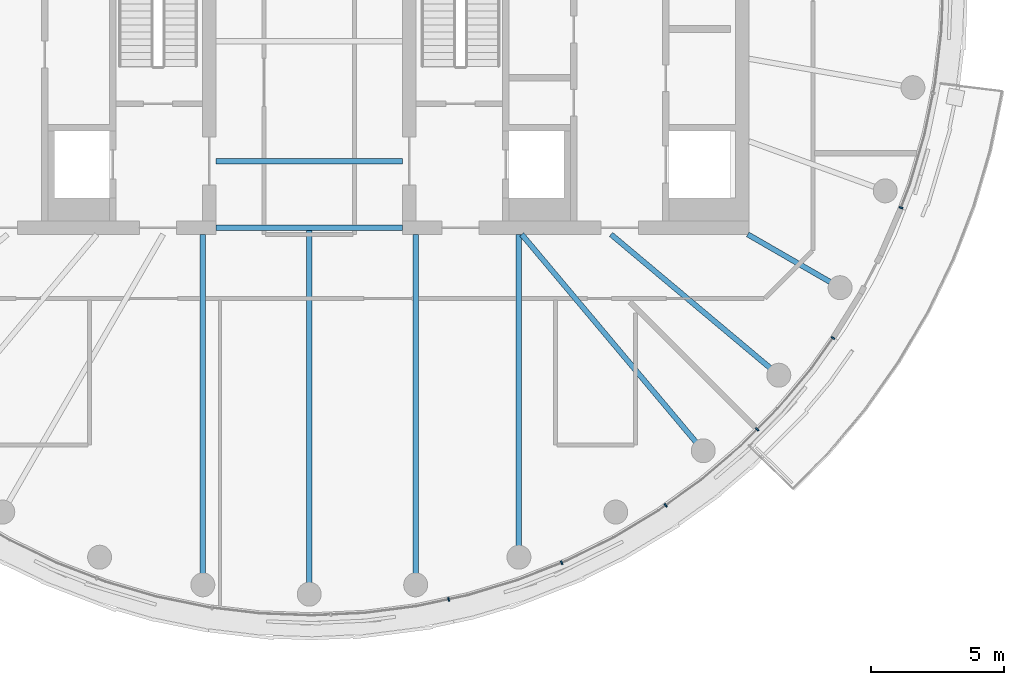
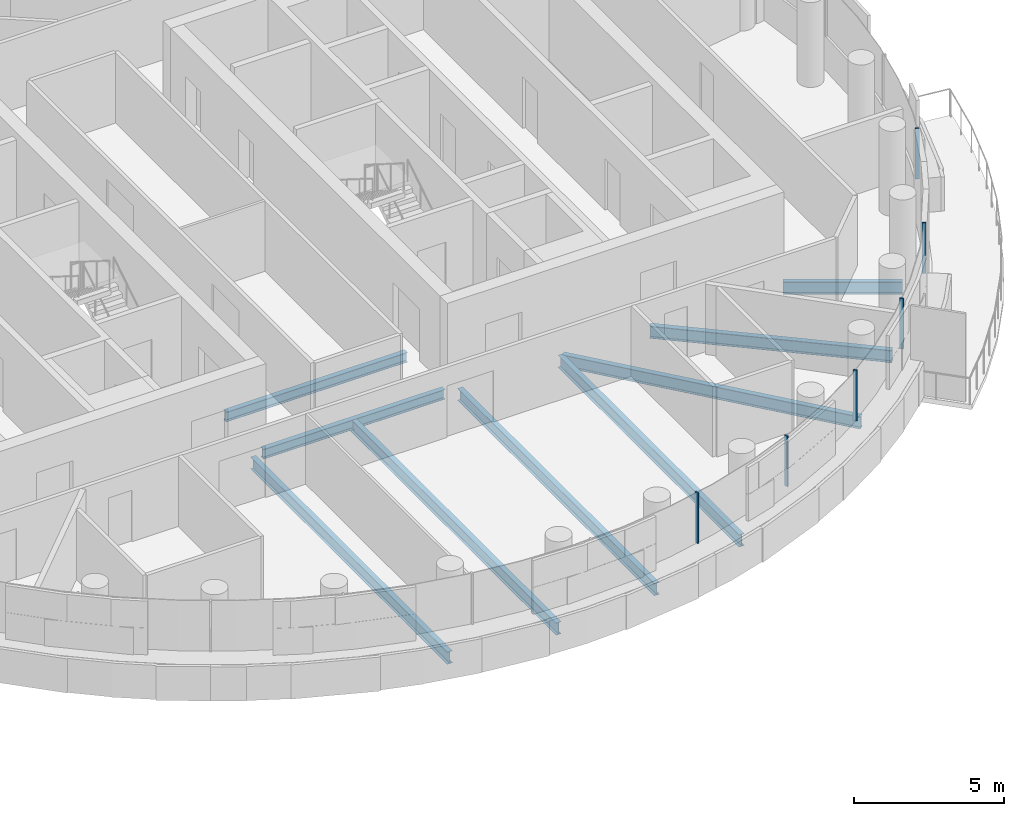
# One storey, part 8 of 27: 9 beams, 6 members, 1 element without a shape of its own.
"""IFC4 building model written with IfcOpenShell, lengths in metres."""

from ifc_helpers import new_model, si_unit, direction, frame, origin, origin_2d, place, context, subcontext, project, spatial, rectangle, i_section, extrude, material, layer, layer_set, material_profile, profile_set, type_object, element, aggregate, save


model = new_model("IFC4")

# Units and contexts
model_context = context("Model", 3, precision=1e-05, world=origin(), true_north=direction((0.0, 1.0)))
body_context = subcontext(model_context, "Body", "Model", "MODEL_VIEW")
ifc_project = project(units=[si_unit("LENGTHUNIT", "METRE"), si_unit("AREAUNIT", "SQUARE_METRE"), si_unit("VOLUMEUNIT", "CUBIC_METRE"), si_unit("PLANEANGLEUNIT", "RADIAN"), si_unit("MASSUNIT", "GRAM", prefix="KILO")], contexts=[model_context])

# Site, building, storey
site_placement = place(None, origin())
site = spatial("IfcSite", under=ifc_project, at=site_placement, CompositionType="ELEMENT")
building_placement = place(site_placement, origin())
building = spatial("IfcBuilding", under=site, at=building_placement, Name="Tamarind Cross Interchange Tower", CompositionType="ELEMENT")
storey_placement = place(building_placement, frame((0.0, 0.0, 230.699951171875)))
storey = spatial("IfcBuildingStorey", under=building, at=storey_placement, Name="L58", CompositionType="ELEMENT", Elevation=230.699951171875)

# Beams
ifc_material_1 = material(Name="Steel Q355B", Category="steel")
ifc_material_profile_1 = material_profile(ifc_material_1, i_section(OverallWidth=0.199951171875, OverallDepth=0.39990234375, WebThickness=0.008056640625, FlangeThickness=0.012939453125, FilletRadius=0.01611328125, at=origin_2d()), Name="HN 400x200x8x13")
ifc_profile_set_1 = profile_set([ifc_material_profile_1], Name="Steel Q355B")
beam_type_1 = type_object("IfcBeamType", Name="Composite beam HN 400x200x8x13 Q355B", PredefinedType="BEAM", material=ifc_profile_set_1)
for number, where, z_axis, x_axis, name in (
    (1, (-3.5, -6.75, -0.33984375), (1.0, 0.0, 0.0), (0.0, 1.0, 0.0), "Beam G-6.75"),
    (2, (-3.5, -9.25, -0.33984375), (1.0, 0.0, 0.0), (0.0, 1.0, 0.0), "Beam G-9.25"),
):
    element("IfcBeam", number, at=place(storey_placement, frame(where, z_axis=z_axis, x_axis=x_axis)), inside=storey, type_object=beam_type_1, Name=name, PredefinedType="BEAM", context=body_context, shape_type="SweptSolid", body=[
        extrude(i_section(OverallWidth=0.199951171875, OverallDepth=0.39990234375, WebThickness=0.008056640625, FlangeThickness=0.012939453125, FilletRadius=0.01611328125, at=origin_2d()), origin(), (0.0, 0.0, 1.0), 7.0),
    ])
ifc_material_profile_2 = material_profile(ifc_material_1, i_section(OverallWidth=0.198974609375, OverallDepth=0.49609375, WebThickness=0.009033203125, FlangeThickness=0.013916015625, FilletRadius=0.012939453125, at=origin_2d()), Name="HN 496x199x9x14")
ifc_profile_set_2 = profile_set([ifc_material_profile_2], Name="Steel Q355B")
beam_type_2 = type_object("IfcBeamType", Name="Composite beam HN 496x199x9x14 Q355B", PredefinedType="BEAM", material=ifc_profile_set_2)
beam_1_placement = place(storey_placement, frame((-3.993896484375, -22.650634765625, -0.387939453125), z_axis=(0.0, 1.0, 0.0), x_axis=(-1.0, 0.0, 0.0)))
element("IfcBeam", 3, at=beam_1_placement, inside=storey, type_object=beam_type_2, Name="Beam HH26", PredefinedType="BEAM", context=body_context, shape_type="SweptSolid", body=[
    extrude(i_section(OverallWidth=0.198974609375, OverallDepth=0.49609375, WebThickness=0.009033203125, FlangeThickness=0.013916015625, FilletRadius=0.012939453125, at=origin_2d()), origin(), (0.0, 0.0, 1.0), 13.150634765625),
])
beam_2_placement = place(storey_placement, frame((0.0, -23.0, -0.387939453125), z_axis=(0.0, 1.0, 0.0), x_axis=(-1.0, 0.0, 0.0)))
element("IfcBeam", 4, at=beam_2_placement, inside=storey, type_object=beam_type_2, Name="Beam HH27", PredefinedType="BEAM", context=body_context, shape_type="SweptSolid", body=[
    extrude(i_section(OverallWidth=0.198974609375, OverallDepth=0.49609375, WebThickness=0.009033203125, FlangeThickness=0.013916015625, FilletRadius=0.012939453125, at=origin_2d()), origin(), (0.0, 0.0, 1.0), 13.75),
])
beam_3_placement = place(storey_placement, frame((3.993896484375, -22.650634765625, -0.387939453125), z_axis=(0.0, 1.0, 0.0), x_axis=(-1.0, 0.0, 0.0)))
element("IfcBeam", 5, at=beam_3_placement, inside=storey, type_object=beam_type_2, Name="Beam HH28", PredefinedType="BEAM", context=body_context, shape_type="SweptSolid", body=[
    extrude(i_section(OverallWidth=0.198974609375, OverallDepth=0.49609375, WebThickness=0.009033203125, FlangeThickness=0.013916015625, FilletRadius=0.012939453125, at=origin_2d()), origin(), (0.0, 0.0, 1.0), 13.150634765625),
])
beam_4_placement = place(storey_placement, frame((7.866455078125, -21.613037109375, -0.387939453125), z_axis=(0.0, 1.0, 0.0), x_axis=(-1.0, 0.0, 0.0)))
element("IfcBeam", 6, at=beam_4_placement, inside=storey, type_object=beam_type_2, Name="Beam HH29", PredefinedType="BEAM", context=body_context, shape_type="SweptSolid", body=[
    extrude(i_section(OverallWidth=0.198974609375, OverallDepth=0.49609375, WebThickness=0.009033203125, FlangeThickness=0.013916015625, FilletRadius=0.012939453125, at=origin_2d()), origin(), (0.0, 0.0, 1.0), 12.113037109375),
])
beam_5_placement = place(storey_placement, frame((14.7841796875, -17.619140625, -0.387939453125), z_axis=(-0.642786293979, 0.766045547127, 0.0), x_axis=(-0.766045547127, -0.642786293979, 0.0)))
element("IfcBeam", 7, at=beam_5_placement, inside=storey, type_object=beam_type_2, Name="Beam HH31", PredefinedType="BEAM", context=body_context, shape_type="SweptSolid", body=[
    extrude(i_section(OverallWidth=0.198974609375, OverallDepth=0.49609375, WebThickness=0.009033203125, FlangeThickness=0.013916015625, FilletRadius=0.012939453125, at=origin_2d()), origin(), (0.0, 0.0, 1.0), 10.598876953125),
])
beam_6_placement = place(storey_placement, frame((17.619140625, -14.7841796875, -0.387939453125), z_axis=(-0.766040580814, 0.642792212574, 0.0), x_axis=(-0.642792212574, -0.766040580814, 0.0)))
element("IfcBeam", 8, at=beam_6_placement, inside=storey, type_object=beam_type_2, Name="Beam HH32", PredefinedType="BEAM", context=body_context, shape_type="SweptSolid", body=[
    extrude(i_section(OverallWidth=0.198974609375, OverallDepth=0.49609375, WebThickness=0.009033203125, FlangeThickness=0.013916015625, FilletRadius=0.012939453125, at=origin_2d()), origin(), (0.0, 0.0, 1.0), 8.220703125),
])
beam_7_placement = place(storey_placement, frame((19.918701171875, -11.5, -0.387939453125), z_axis=(-0.866026010844, 0.49999894854, 0.0), x_axis=(-0.49999894854, -0.866026010844, 0.0)))
element("IfcBeam", 9, at=beam_7_placement, inside=storey, type_object=beam_type_2, Name="Beam HH33", PredefinedType="BEAM", context=body_context, shape_type="SweptSolid", body=[
    extrude(i_section(OverallWidth=0.198974609375, OverallDepth=0.49609375, WebThickness=0.009033203125, FlangeThickness=0.013916015625, FilletRadius=0.012939453125, at=origin_2d()), origin(), (0.0, 0.0, 1.0), 4.0),
])

# Curtain wall, members
ifc_material_2 = material(Name="Aluminium 6063-T6", Category="aluminium")
ifc_layer = layer(ifc_material_2, 0.139892578125)
ifc_layer_set = layer_set([ifc_layer], Name="Aluminium 6063-T6")
curtain_wall_type = type_object("IfcCurtainWallType", Name="Hotel curtain wall, 4.5 m bays", PredefinedType="NOTDEFINED", material=ifc_layer_set)
curtain_wall_placement = place(storey_placement, origin())
curtain_wall = element("IfcCurtainWall", 10, at=curtain_wall_placement, inside=storey, type_object=curtain_wall_type, Name="CWS-L58-02", PredefinedType="NOTDEFINED")
ifc_material_profile_3 = material_profile(ifc_material_2, rectangle(XDim=0.06005859375, YDim=0.139892578125, at=origin_2d()), Name="Mullion CW2")
ifc_profile_set_3 = profile_set([ifc_material_profile_3], Name="Aluminium 6063-T6")
member_type = type_object("IfcMemberType", Name="Mullion CW2", PredefinedType="MULLION", material=ifc_profile_set_3)
member_1_placement = place(storey_placement, frame((5.228759765625, -23.19482421875, 1.400146484375), z_axis=(0.0, 0.0, 1.0), x_axis=(0.977824623121, 0.209425419705, 0.0)))
member_1 = element("IfcMember", 11, at=member_1_placement, type_object=member_type, Name="CWM-L58-02-07", PredefinedType="MULLION", context=body_context, shape_type="SweptSolid", body=[
    extrude(rectangle(XDim=0.06005859375, YDim=0.139892578125, at=origin_2d()), origin(), (0.0, 0.0, 1.0), 2.059814453125),
])
member_2_placement = place(storey_placement, frame((9.471435546875, -21.82177734375, 1.400146484375), z_axis=(0.0, 0.0, 1.0), x_axis=(0.930018078613, 0.367513773146, 0.0)))
member_2 = element("IfcMember", 12, at=member_2_placement, type_object=member_type, Name="CWM-L58-02-08", PredefinedType="MULLION", context=body_context, shape_type="SweptSolid", body=[
    extrude(rectangle(XDim=0.06005859375, YDim=0.139892578125, at=origin_2d()), origin(), (0.0, 0.0, 1.0), 2.059814453125),
])
member_3_placement = place(storey_placement, frame((13.37548828125, -19.666748046875, 1.400146484375), z_axis=(0.0, 0.0, 1.0), x_axis=(0.811340475102, 0.584573890505, 0.0)))
member_3 = element("IfcMember", 13, at=member_3_placement, type_object=member_type, Name="CWM-L58-02-09", PredefinedType="MULLION", context=body_context, shape_type="SweptSolid", body=[
    extrude(rectangle(XDim=0.06005859375, YDim=0.139892578125, at=origin_2d()), origin(), (0.0, 0.0, 1.0), 2.059814453125),
])
member_4_placement = place(storey_placement, frame((16.805908203125, -16.818115234375, 1.400146484375), z_axis=(0.0, 0.0, 1.0), x_axis=(0.704057148523, 0.710143317658, 0.0)))
member_4 = element("IfcMember", 14, at=member_4_placement, type_object=member_type, Name="CWM-L58-02-10", PredefinedType="MULLION", context=body_context, shape_type="SweptSolid", body=[
    extrude(rectangle(XDim=0.06005859375, YDim=0.139892578125, at=origin_2d()), origin(), (0.0, 0.0, 1.0), 2.059814453125),
])
member_5_placement = place(storey_placement, frame((19.653076171875, -13.38671875, 1.400146484375), z_axis=(0.0, 0.0, 1.0), x_axis=(0.577568978284, 0.816341886298, 0.0)))
member_5 = element("IfcMember", 15, at=member_5_placement, type_object=member_type, Name="CWM-L58-02-11", PredefinedType="MULLION", context=body_context, shape_type="SweptSolid", body=[
    extrude(rectangle(XDim=0.06005859375, YDim=0.139892578125, at=origin_2d()), origin(), (0.0, 0.0, 1.0), 2.059814453125),
])
member_6_placement = place(storey_placement, frame((22.204345703125, -8.49951171875, 1.400146484375), z_axis=(0.0, 0.0, 1.0), x_axis=(0.359495435512, 0.933146843667, 0.0)))
member_6 = element("IfcMember", 16, at=member_6_placement, type_object=member_type, Name="CWM-L58-02-12", PredefinedType="MULLION", context=body_context, shape_type="SweptSolid", body=[
    extrude(rectangle(XDim=0.06005859375, YDim=0.139892578125, at=origin_2d()), origin(), (0.0, 0.0, 1.0), 2.059814453125),
])
aggregate(curtain_wall, [member_1, member_2, member_3, member_4, member_5, member_6])

save(model, "model.ifc")
